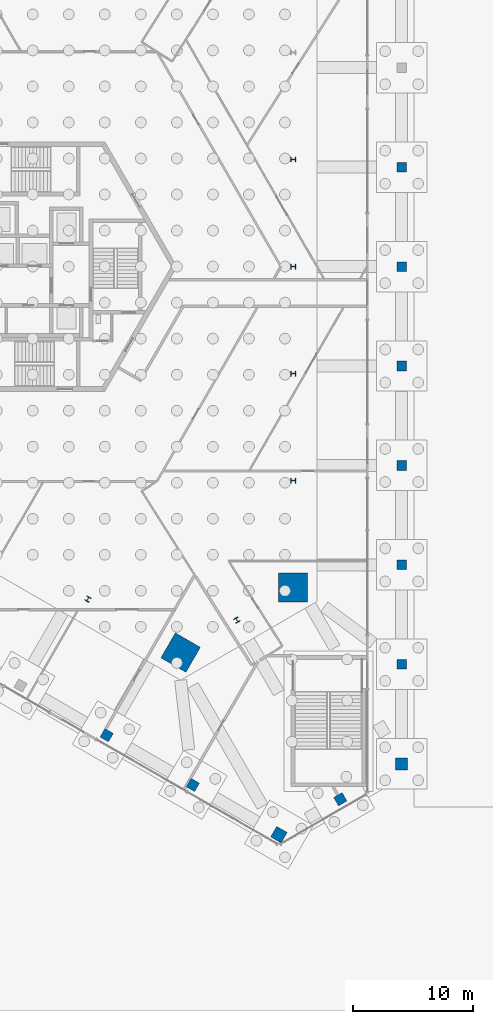
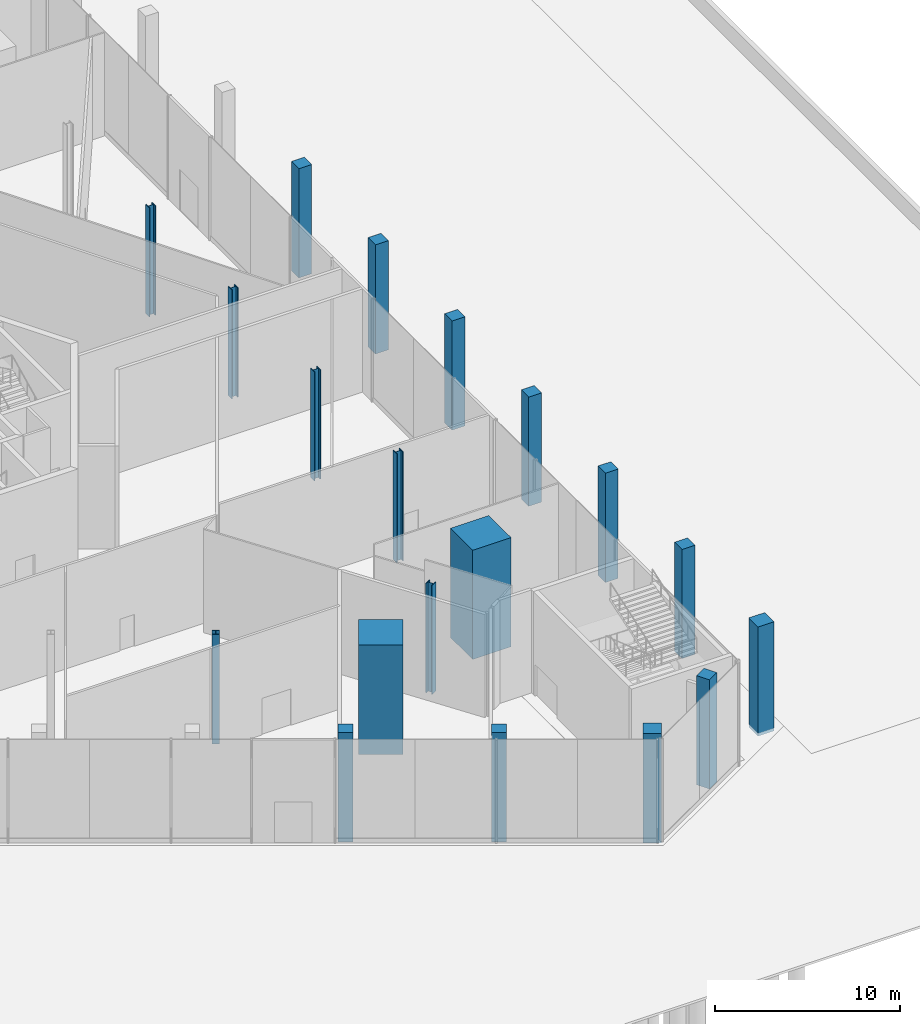
# One storey, part 5 of 27: 19 columns.
"""IFC4 building model written with IfcOpenShell, lengths in metres."""

from ifc_helpers import new_model, si_unit, direction, frame, origin, origin_2d, place, context, subcontext, project, spatial, rectangle, i_section, extrude, source, transform, mapped, material, material_profile, profile_set, type_object, element, save


model = new_model("IFC4")

# Units and contexts
model_context = context("Model", 3, precision=1e-05, world=origin(), true_north=direction((0.0, 1.0)))
body_context = subcontext(model_context, "Body", "Model", "MODEL_VIEW")
ifc_project = project(units=[si_unit("LENGTHUNIT", "METRE"), si_unit("AREAUNIT", "SQUARE_METRE"), si_unit("VOLUMEUNIT", "CUBIC_METRE"), si_unit("PLANEANGLEUNIT", "RADIAN"), si_unit("MASSUNIT", "GRAM", prefix="KILO")], contexts=[model_context])

# Site, building, storey
site_placement = place(None, origin())
site = spatial("IfcSite", under=ifc_project, at=site_placement, CompositionType="ELEMENT")
building_placement = place(site_placement, origin())
building = spatial("IfcBuilding", under=site, at=building_placement, Name="Triune Harvest Tower", CompositionType="ELEMENT")
storey_placement = place(building_placement, origin())
storey = spatial("IfcBuildingStorey", under=building, at=storey_placement, Name="L00", CompositionType="ELEMENT", Elevation=0.0)

# Columns
ifc_material_1 = material(Name="Concrete 70 MPa", Category="concrete")
ifc_material_profile_1 = material_profile(ifc_material_1, rectangle(XDim=2.39990234375, YDim=2.39990234375, at=origin_2d()), Name="Composite 2400x2400")
ifc_profile_set_1 = profile_set([ifc_material_profile_1], Name="Concrete 70 MPa")
column_type_1 = type_object("IfcColumnType", Name="MC-1 Mega column Composite 2400x2400", PredefinedType="COLUMN", material=ifc_profile_set_1)
shared_shape_1 = source(origin(), body_context, "Body", "SweptSolid", [
    extrude(rectangle(XDim=2.39990234375, YDim=2.39990234375, at=origin_2d()), origin(), (0.0, 0.0, 1.0), 7.199951171875),
])
for number, where, z_axis, x_axis, name in (
    (1, (21.679443359375, -26.72998046875, -0.199951171875), (0.0, 0.0, 1.0), (0.0, 1.0, 0.0), "col/L00/M0"),
    (2, (12.30908203125, -32.139892578125, -0.199951171875), (0.0, 0.0, 1.0), (0.866025403784, -0.5, 0.0), "col/L00/M22"),
):
    element("IfcColumn", number, at=place(storey_placement, frame(where, z_axis=z_axis, x_axis=x_axis)), inside=storey, type_object=column_type_1, Name=name, PredefinedType="COLUMN", context=body_context, shape_type="MappedRepresentation", body=[
        mapped(shared_shape_1, transform((0.0, 0.0, 0.0), scale=1.0)),
    ])
ifc_material_2 = material(Name="Steel ASTM A992 Gr 50", Category="steel")
ifc_material_profile_2 = material_profile(ifc_material_2, i_section(OverallWidth=0.40380859375, OverallDepth=0.406494140625, WebThickness=0.027099609375, FlangeThickness=0.043701171875, at=origin_2d()), Name="W14x233")
ifc_profile_set_2 = profile_set([ifc_material_profile_2], Name="Steel ASTM A992 Gr 50")
column_type_2 = type_object("IfcColumnType", Name="PC-1 Perimeter column W14x233", PredefinedType="COLUMN", material=ifc_profile_set_2)
shared_shape_2 = source(origin(), body_context, "Body", "SweptSolid", [
    extrude(i_section(OverallWidth=0.40380859375, OverallDepth=0.406494140625, WebThickness=0.027099609375, FlangeThickness=0.043701171875, at=origin_2d()), origin(), (0.0, 0.0, 1.0), 7.199951171875),
])
for number, where, z_axis, x_axis, name in (
    (3, (21.679443359375, -17.820068359375, -0.199951171875), (0.0, 0.0, 1.0), (0.0, 1.0, 0.0), "col/L00/P1"),
    (4, (21.679443359375, -8.909912109375, -0.199951171875), (0.0, 0.0, 1.0), (0.0, 1.0, 0.0), "col/L00/P2"),
    (5, (21.679443359375, 0.0, -0.199951171875), (0.0, 0.0, 1.0), (0.0, 1.0, 0.0), "col/L00/P3"),
    (6, (21.679443359375, 8.909912109375, -0.199951171875), (0.0, 0.0, 1.0), (0.0, 1.0, 0.0), "col/L00/P4"),
    (7, (4.5927734375, -27.68505859375, -0.199951171875), (0.0, 0.0, 1.0), (0.866025403784, -0.5, 0.0), "col/L00/P21"),
    (8, (16.994384765625, -29.43505859375, -0.199951171875), (0.0, 0.0, 1.0), (0.866026276448, 0.4999984885, 0.0), "col/L00/P23"),
):
    element("IfcColumn", number, at=place(storey_placement, frame(where, z_axis=z_axis, x_axis=x_axis)), inside=storey, type_object=column_type_2, Name=name, PredefinedType="COLUMN", context=body_context, shape_type="MappedRepresentation", body=[
        mapped(shared_shape_2, transform((0.0, 0.0, 0.0), scale=1.0)),
    ])
ifc_material_3 = material(Name="Concrete 50 MPa", Category="concrete")
ifc_material_profile_3 = material_profile(ifc_material_3, rectangle(XDim=1.0, YDim=1.0, at=origin_2d()), Name="Concrete 1000x1000")
ifc_profile_set_3 = profile_set([ifc_material_profile_3], Name="Concrete 50 MPa")
column_type_3 = type_object("IfcColumnType", Name="PD-1 Podium column Concrete 1000x1000", PredefinedType="COLUMN", material=ifc_profile_set_3)
shared_shape_3 = source(origin(), body_context, "Body", "SweptSolid", [
    extrude(rectangle(XDim=1.0, YDim=1.0, at=origin_2d()), origin(), (0.0, 0.0, 1.0), 7.199951171875),
])
for number, where, z_axis, x_axis, name in (
    (9, (30.715087890625, -41.39990234375, -0.199951171875), (0.0, 0.0, 1.0), (0.0, 1.0, 0.0), "col/L00/D0"),
    (10, (20.495849609375, -47.300048828125, -0.199951171875), (0.0, 0.0, 1.0), (0.866025403784, -0.5, 0.0), "col/L00/D34"),
):
    element("IfcColumn", number, at=place(storey_placement, frame(where, z_axis=z_axis, x_axis=x_axis)), inside=storey, type_object=column_type_3, Name=name, PredefinedType="COLUMN", context=body_context, shape_type="MappedRepresentation", body=[
        mapped(shared_shape_3, transform((0.0, 0.0, 0.0), scale=1.0)),
    ])
ifc_material_4 = material(Name="Concrete 50 MPa", Category="concrete")
ifc_material_profile_4 = material_profile(ifc_material_4, rectangle(XDim=0.800048828125, YDim=0.800048828125, at=origin_2d()), Name="Concrete 800x800")
ifc_profile_set_4 = profile_set([ifc_material_profile_4], Name="Concrete 50 MPa")
column_type_4 = type_object("IfcColumnType", Name="PD-2 Podium column Concrete 800x800", PredefinedType="COLUMN", material=ifc_profile_set_4)
shared_shape_4 = source(origin(), body_context, "Body", "SweptSolid", [
    extrude(rectangle(XDim=0.800048828125, YDim=0.800048828125, at=origin_2d()), origin(), (0.0, 0.0, 1.0), 7.199951171875),
])
for number, where, z_axis, x_axis, name in (
    (11, (30.715087890625, -33.1201171875, -0.199951171875), (0.0, 0.0, 1.0), (0.0, 1.0, 0.0), "col/L00/D1"),
    (12, (30.715087890625, -24.840087890625, -0.199951171875), (0.0, 0.0, 1.0), (0.0, 1.0, 0.0), "col/L00/D2"),
    (13, (30.715087890625, -16.56005859375, -0.199951171875), (0.0, 0.0, 1.0), (0.0, 1.0, 0.0), "col/L00/D3"),
    (14, (30.715087890625, -8.280029296875, -0.199951171875), (0.0, 0.0, 1.0), (0.0, 1.0, 0.0), "col/L00/D4"),
    (15, (30.715087890625, 0.0, -0.199951171875), (0.0, 0.0, 1.0), (0.0, 1.0, 0.0), "col/L00/D5"),
    (16, (30.715087890625, 8.280029296875, -0.199951171875), (0.0, 0.0, 1.0), (0.0, 1.0, 0.0), "col/L00/D6"),
    (17, (6.154541015625, -39.02001953125, -0.199951171875), (0.0, 0.0, 1.0), (0.866025403784, -0.5, 0.0), "col/L00/D32"),
    (18, (13.3251953125, -43.159912109375, -0.199951171875), (0.0, 0.0, 1.0), (0.866025403784, -0.5, 0.0), "col/L00/D33"),
    (19, (25.60546875, -44.35009765625, -0.199951171875), (0.0, 0.0, 1.0), (0.866027149108, 0.499996976998, 0.0), "col/L00/D35"),
):
    element("IfcColumn", number, at=place(storey_placement, frame(where, z_axis=z_axis, x_axis=x_axis)), inside=storey, type_object=column_type_4, Name=name, PredefinedType="COLUMN", context=body_context, shape_type="MappedRepresentation", body=[
        mapped(shared_shape_4, transform((0.0, 0.0, 0.0), scale=1.0)),
    ])

save(model, "model.ifc")
